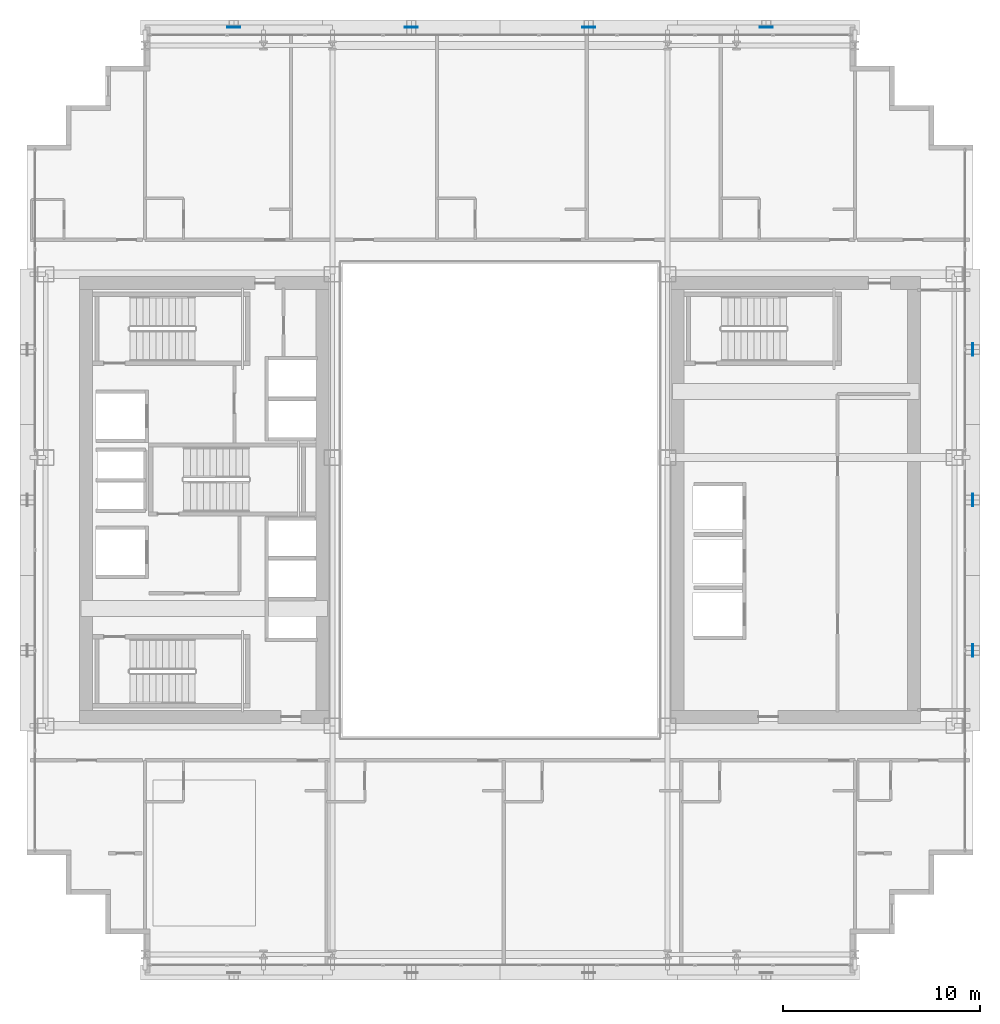
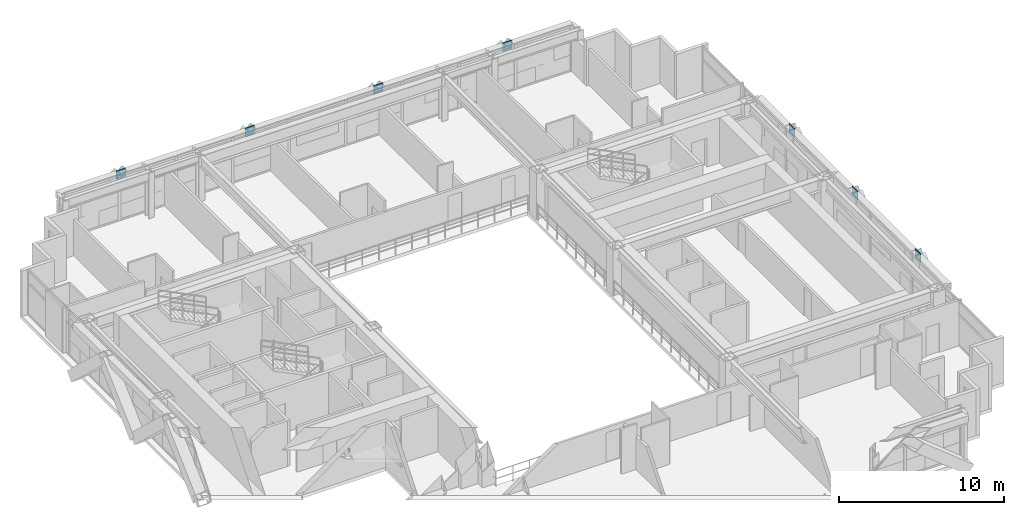
# One storey, part 26 of 34: 7 plates.
"""IFC4 building model written with IfcOpenShell, lengths in metres."""

from ifc_helpers import new_model, si_unit, direction, frame, origin, origin_2d, place, context, subcontext, project, spatial, rectangle, extrude, source, transform, mapped, material, layer, layer_set, type_object, element, save


model = new_model("IFC4")

# Units and contexts
model_context = context("Model", 3, precision=1e-05, world=origin(), true_north=direction((0.0, 1.0)))
body_context = subcontext(model_context, "Body", "Model", "MODEL_VIEW")
ifc_project = project(units=[si_unit("LENGTHUNIT", "METRE"), si_unit("AREAUNIT", "SQUARE_METRE"), si_unit("VOLUMEUNIT", "CUBIC_METRE"), si_unit("PLANEANGLEUNIT", "RADIAN"), si_unit("MASSUNIT", "GRAM", prefix="KILO")], contexts=[model_context])

# Site, building, storey
site_placement = place(None, origin())
site = spatial("IfcSite", under=ifc_project, at=site_placement, CompositionType="ELEMENT")
building_placement = place(site_placement, origin())
building = spatial("IfcBuilding", under=site, at=building_placement, Name="Ocotamira Hotel", CompositionType="ELEMENT")
storey_placement = place(building_placement, frame((0.0, 0.0, 111.60009765625)))
storey = spatial("IfcBuildingStorey", under=building, at=storey_placement, Name="L27", CompositionType="ELEMENT", Elevation=111.60009765625)

# Plates
ifc_material = material(Name="Pale-metal coated steel ASTM A572 Grade 50", Category="steel")
ifc_layer = layer(ifc_material, 0.0400390625)
ifc_layer_set = layer_set([ifc_layer], Name="Pale-metal coated steel ASTM A572 Grade 50")
plate_type = type_object("IfcPlateType", Name="PLT-GUSSET-40", PredefinedType="SHEET", material=ifc_layer_set)
shared_shape_1 = source(origin(), body_context, "Body", "SweptSolid", [
    extrude(rectangle(XDim=0.64990234375, YDim=0.0400390625, at=origin_2d()), origin(), (0.0, 0.0, 1.0), 0.64990234375),
])
for number, where, z_axis, x_axis, name in (
    (1, (18.5, 49.969970703125, 2.784912109375), (0.0, 0.0, 1.0), (1.0, 0.0, 0.0), "L27 Exoskeleton Diagrid N0.1 End Gusset B"),
    (2, (27.5, 49.969970703125, 2.784912109375), (0.0, 0.0, 1.0), (1.0, 0.0, 0.0), "L27 Exoskeleton Diagrid N1.1 End Gusset B"),
    (3, (36.5, 49.969970703125, 2.784912109375), (0.0, 0.0, 1.0), (1.0, 0.0, 0.0), "L27 Exoskeleton Diagrid N2.1 End Gusset B"),
    (4, (45.5, 49.969970703125, 2.784912109375), (0.0, 0.0, 1.0), (1.0, 0.0, 0.0), "L27 Exoskeleton Diagrid N3.1 End Gusset B"),
):
    element("IfcPlate", number, at=place(storey_placement, frame(where, z_axis=z_axis, x_axis=x_axis)), inside=storey, type_object=plate_type, Name=name, PredefinedType="SHEET", context=body_context, shape_type="MappedRepresentation", body=[
        mapped(shared_shape_1, transform((0.0, 0.0, 0.0), scale=1.0)),
    ])
shared_shape_2 = source(origin(), body_context, "Body", "SweptSolid", [
    extrude(rectangle(XDim=0.0400390625, YDim=0.64990234375, at=origin_2d()), origin(), (0.0, 0.0, 1.0), 0.64990234375),
])
for number, where, z_axis, x_axis, name in (
    (5, (55.969970703125, 18.36669921875, 2.784912109375), (0.0, 0.0, 1.0), (1.0, 0.0, 0.0), "L27 Exoskeleton Diagrid E0.1 End Gusset B"),
    (6, (55.969970703125, 26.0, 2.784912109375), (0.0, 0.0, 1.0), (1.0, 0.0, 0.0), "L27 Exoskeleton Diagrid E1.1 End Gusset B"),
    (7, (55.969970703125, 33.63330078125, 2.784912109375), (0.0, 0.0, 1.0), (1.0, 0.0, 0.0), "L27 Exoskeleton Diagrid E2.1 End Gusset B"),
):
    element("IfcPlate", number, at=place(storey_placement, frame(where, z_axis=z_axis, x_axis=x_axis)), inside=storey, type_object=plate_type, Name=name, PredefinedType="SHEET", context=body_context, shape_type="MappedRepresentation", body=[
        mapped(shared_shape_2, transform((0.0, 0.0, 0.0), scale=1.0)),
    ])

save(model, "model.ifc")
